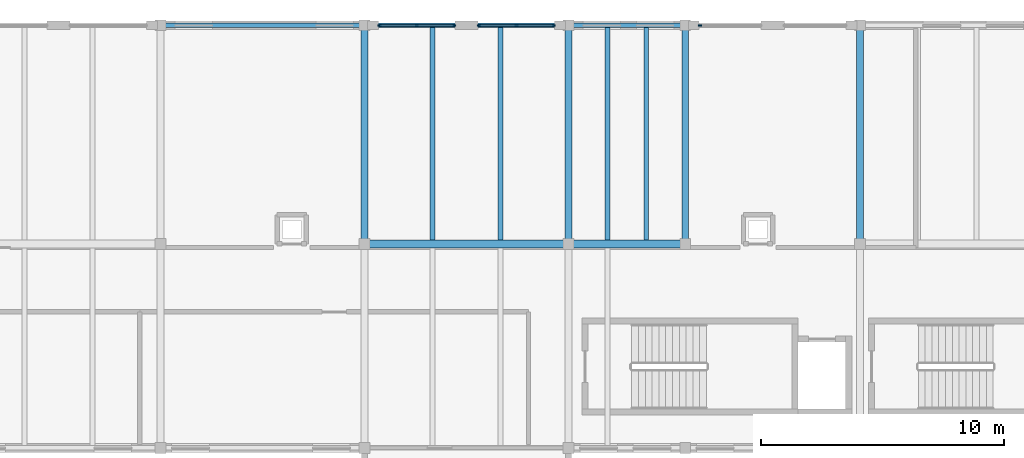
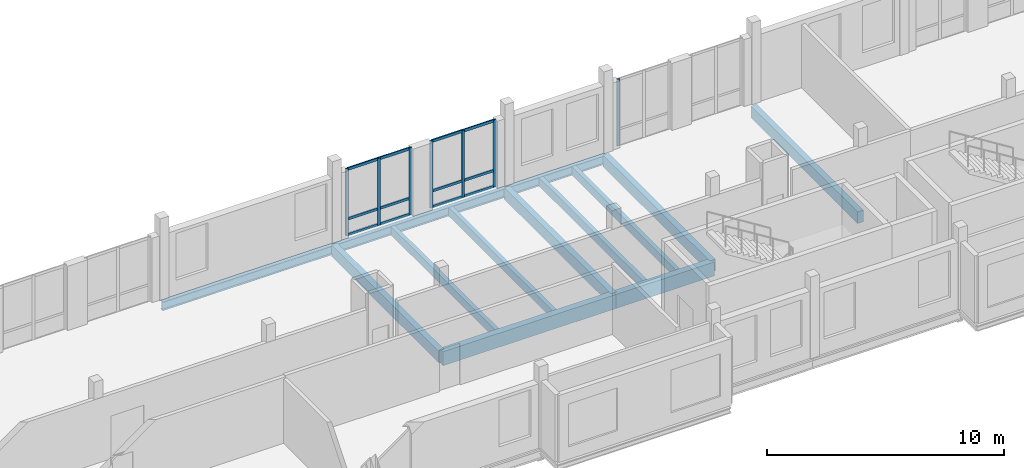
# One storey, part 24 of 81: 13 beams, 13 members, 3 elements without a shape of their own.
"""IFC4 building model written with IfcOpenShell, lengths in metres."""

from ifc_helpers import new_model, si_unit, direction, frame, origin, origin_2d, place, context, subcontext, project, spatial, rectangle, i_section, extrude, material, material_profile, profile_set, type_object, element, aggregate, save


model = new_model("IFC4")

# Units and contexts
model_context = context("Model", 3, precision=1e-05, world=origin(), true_north=direction((0.0, 1.0)))
body_context = subcontext(model_context, "Body", "Model", "MODEL_VIEW")
ifc_project = project(units=[si_unit("LENGTHUNIT", "METRE"), si_unit("AREAUNIT", "SQUARE_METRE"), si_unit("VOLUMEUNIT", "CUBIC_METRE"), si_unit("PLANEANGLEUNIT", "RADIAN"), si_unit("MASSUNIT", "GRAM", prefix="KILO")], contexts=[model_context])

# Site, building, storey
site_placement = place(None, origin())
site = spatial("IfcSite", under=ifc_project, at=site_placement, CompositionType="ELEMENT")
building_placement = place(site_placement, origin())
building = spatial("IfcBuilding", under=site, at=building_placement, Name="Kahlenmark Community Centre", CompositionType="ELEMENT")
storey_placement = place(building_placement, frame((0.0, 0.0, 9.60009765625)))
storey = spatial("IfcBuildingStorey", under=building, at=storey_placement, Name="L02", CompositionType="ELEMENT", Elevation=9.60009765625)

# Beams
ifc_material_1 = material(Name="Glulam GL32h", Category="wood")
ifc_material_profile_1 = material_profile(ifc_material_1, rectangle(XDim=0.280029296875, YDim=0.60009765625, at=origin_2d()), Name="GL32h 280x600")
ifc_profile_set_1 = profile_set([ifc_material_profile_1], Name="Glulam GL32h")
beam_type_1 = type_object("IfcBeamType", Name="BT-BEAM-GL32h280x600", PredefinedType="BEAM", material=ifc_profile_set_1)
for number, where, z_axis, x_axis, name in (
    (1, (37.60009765625, 106.0, -0.52001953125), (0.0, 1.0, 0.0), (-1.0, 0.0, 0.0), "L02 beam BG-GL32h280x600"),
    (2, (46.0, 106.0, -0.52001953125), (0.0, 1.0, 0.0), (-1.0, 0.0, 0.0), "L02 beam BG-GL32h280x600"),
    (3, (50.800048828125, 106.0, -0.52001953125), (0.0, 1.0, 0.0), (-1.0, 0.0, 0.0), "L02 beam BG-GL32h280x600"),
    (4, (58.0, 106.0, -0.52001953125), (0.0, 1.0, 0.0), (-1.0, 0.0, 0.0), "L02 beam BG-GL32h280x600"),
):
    element("IfcBeam", number, at=place(storey_placement, frame(where, z_axis=z_axis, x_axis=x_axis)), inside=storey, type_object=beam_type_1, Name=name, PredefinedType="BEAM", context=body_context, shape_type="SweptSolid", body=[
        extrude(rectangle(XDim=0.280029296875, YDim=0.60009765625, at=origin_2d()), origin(), (0.0, 0.0, 1.0), 9.0),
    ])
ifc_material_profile_2 = material_profile(ifc_material_1, rectangle(XDim=0.320068359375, YDim=0.719970703125, at=origin_2d()), Name="GL32h 320x720")
ifc_profile_set_2 = profile_set([ifc_material_profile_2], Name="Glulam GL32h")
beam_type_2 = type_object("IfcBeamType", Name="BT-BEAM-GL32h320x720", PredefinedType="BEAM", material=ifc_profile_set_2)
beam_1_placement = place(storey_placement, frame((37.60009765625, 106.0, -0.580078125), z_axis=(1.0, 0.0, 0.0), x_axis=(0.0, 1.0, 0.0)))
element("IfcBeam", 5, at=beam_1_placement, inside=storey, type_object=beam_type_2, Name="L02 beam BG-GL32h320x720", PredefinedType="BEAM", context=body_context, shape_type="SweptSolid", body=[
    extrude(rectangle(XDim=0.320068359375, YDim=0.719970703125, at=origin_2d()), origin(), (0.0, 0.0, 1.0), 8.39990234375),
])
beam_2_placement = place(storey_placement, frame((46.0, 106.0, -0.580078125), z_axis=(1.0, 0.0, 0.0), x_axis=(0.0, 1.0, 0.0)))
element("IfcBeam", 6, at=beam_2_placement, inside=storey, type_object=beam_type_2, Name="L02 beam BG-GL32h320x720", PredefinedType="BEAM", context=body_context, shape_type="SweptSolid", body=[
    extrude(rectangle(XDim=0.320068359375, YDim=0.719970703125, at=origin_2d()), origin(), (0.0, 0.0, 1.0), 4.800048828125),
])
ifc_material_2 = material(Name="Glulam GL28h", Category="wood")
ifc_material_profile_3 = material_profile(ifc_material_2, rectangle(XDim=0.199951171875, YDim=0.43994140625, at=origin_2d()), Name="GL28h 200x440")
ifc_profile_set_3 = profile_set([ifc_material_profile_3], Name="Glulam GL28h")
beam_type_3 = type_object("IfcBeamType", Name="BT-JOIST-GL28h200x440", PredefinedType="JOIST", material=ifc_profile_set_3)
for number, where, z_axis, x_axis, name in (
    (7, (40.39990234375, 106.157958984375, -0.440185546875), (0.0, 1.0, 0.0), (-1.0, 0.0, 0.0), "L02 joist BJ-GL28h200x440"),
    (8, (43.199951171875, 106.157958984375, -0.440185546875), (0.0, 1.0, 0.0), (-1.0, 0.0, 0.0), "L02 joist BJ-GL28h200x440"),
    (9, (47.60009765625, 106.157958984375, -0.440185546875), (0.0, 1.0, 0.0), (-1.0, 0.0, 0.0), "L02 joist BJ-GL28h200x440"),
    (10, (49.199951171875, 106.157958984375, -0.440185546875), (0.0, 1.0, 0.0), (-1.0, 0.0, 0.0), "L02 joist BJ-GL28h200x440"),
):
    element("IfcBeam", number, at=place(storey_placement, frame(where, z_axis=z_axis, x_axis=x_axis)), inside=storey, type_object=beam_type_3, Name=name, PredefinedType="JOIST", context=body_context, shape_type="SweptSolid", body=[
        extrude(rectangle(XDim=0.199951171875, YDim=0.43994140625, at=origin_2d()), origin(), (0.0, 0.0, 1.0), 8.7490234375),
    ])
ifc_material_3 = material(Name="Steel S355", Category="steel")
ifc_material_profile_4 = material_profile(ifc_material_3, i_section(OverallWidth=0.18994140625, OverallDepth=0.449951171875, WebThickness=0.009521484375, FlangeThickness=0.0146484375, at=origin_2d()), Name="IPE 450")
ifc_profile_set_4 = profile_set([ifc_material_profile_4], Name="Steel S355")
beam_type_4 = type_object("IfcBeamType", Name="BT-SPANDREL-IPE450", PredefinedType="SPANDREL", material=ifc_profile_set_4)
beam_3_placement = place(storey_placement, frame((29.199951171875, 115.0, -0.445068359375), z_axis=(1.0, 0.0, 0.0), x_axis=(0.0, 1.0, 0.0)))
element("IfcBeam", 11, at=beam_3_placement, inside=storey, type_object=beam_type_4, Name="L02 spandrel SP-IPE450", PredefinedType="SPANDREL", context=body_context, shape_type="SweptSolid", body=[
    extrude(i_section(OverallWidth=0.18994140625, OverallDepth=0.449951171875, WebThickness=0.009521484375, FlangeThickness=0.0146484375, at=origin_2d()), origin(), (0.0, 0.0, 1.0), 8.400146484375),
])
beam_4_placement = place(storey_placement, frame((37.60009765625, 115.0, -0.445068359375), z_axis=(1.0, 0.0, 0.0), x_axis=(0.0, 1.0, 0.0)))
element("IfcBeam", 12, at=beam_4_placement, inside=storey, type_object=beam_type_4, Name="L02 spandrel SP-IPE450", PredefinedType="SPANDREL", context=body_context, shape_type="SweptSolid", body=[
    extrude(i_section(OverallWidth=0.18994140625, OverallDepth=0.449951171875, WebThickness=0.009521484375, FlangeThickness=0.0146484375, at=origin_2d()), origin(), (0.0, 0.0, 1.0), 8.39990234375),
])
beam_5_placement = place(storey_placement, frame((46.0, 115.0, -0.445068359375), z_axis=(1.0, 0.0, 0.0), x_axis=(0.0, 1.0, 0.0)))
element("IfcBeam", 13, at=beam_5_placement, inside=storey, type_object=beam_type_4, Name="L02 spandrel SP-IPE450", PredefinedType="SPANDREL", context=body_context, shape_type="SweptSolid", body=[
    extrude(i_section(OverallWidth=0.18994140625, OverallDepth=0.449951171875, WebThickness=0.009521484375, FlangeThickness=0.0146484375, at=origin_2d()), origin(), (0.0, 0.0, 1.0), 4.800048828125),
])

# Curtain wall, members
ifc_material_4 = material(Name="Anodised aluminium unitised curtain wall", Category="aluminium")
curtain_wall_type_1 = type_object("IfcCurtainWallType", Name="CWT-UNIT-314X345", PredefinedType="USERDEFINED", material=ifc_material_4)
curtain_wall_1_placement = place(storey_placement, origin())
curtain_wall_1 = element("IfcCurtainWall", 14, at=curtain_wall_1_placement, inside=storey, type_object=curtain_wall_type_1, Name="Unitised curtain wall CW-091", ObjectType="UNITISED CURTAIN WALL", PredefinedType="USERDEFINED")
ifc_material_5 = material(Name="Anodised aluminium 6063-T6", Category="aluminium")
ifc_material_profile_5 = material_profile(ifc_material_5, rectangle(XDim=0.06005859375, YDim=0.139892578125, at=origin_2d()), Name="ALU MULLION 60x140")
ifc_profile_set_5 = profile_set([ifc_material_profile_5], Name="Anodised aluminium 6063-T6")
member_type_1 = type_object("IfcMemberType", Name="MT-MUL-140", PredefinedType="MULLION", material=ifc_profile_set_5)
member_1_placement = place(storey_placement, frame((45.389892578125, 115.0, 0.0), z_axis=(0.0, 0.0, 1.0), x_axis=(0.0, -1.0, 0.0)))
member_1 = element("IfcMember", 15, at=member_1_placement, type_object=member_type_1, Name="CW-091 mullion 1", PredefinedType="MULLION", context=body_context, shape_type="SweptSolid", body=[
    extrude(rectangle(XDim=0.06005859375, YDim=0.139892578125, at=origin_2d()), origin(), (0.0, 0.0, 1.0), 3.449951171875),
])
member_2_placement = place(storey_placement, frame((43.85009765625, 115.0, 0.0), z_axis=(0.0, 0.0, 1.0), x_axis=(0.0, -1.0, 0.0)))
member_2 = element("IfcMember", 16, at=member_2_placement, type_object=member_type_1, Name="CW-091 mullion 2", PredefinedType="MULLION", context=body_context, shape_type="SweptSolid", body=[
    extrude(rectangle(XDim=0.06005859375, YDim=0.139892578125, at=origin_2d()), origin(), (0.0, 0.0, 1.0), 3.449951171875),
])
member_3_placement = place(storey_placement, frame((42.31005859375, 115.0, 0.0), z_axis=(0.0, 0.0, 1.0), x_axis=(0.0, -1.0, 0.0)))
member_3 = element("IfcMember", 17, at=member_3_placement, type_object=member_type_1, Name="CW-091 mullion 3", PredefinedType="MULLION", context=body_context, shape_type="SweptSolid", body=[
    extrude(rectangle(XDim=0.06005859375, YDim=0.139892578125, at=origin_2d()), origin(), (0.0, 0.0, 1.0), 3.449951171875),
])

curtain_wall_2_placement = place(storey_placement, origin())
curtain_wall_2 = element("IfcCurtainWall", 18, at=curtain_wall_2_placement, inside=storey, type_object=curtain_wall_type_1, Name="Unitised curtain wall CW-092", ObjectType="UNITISED CURTAIN WALL", PredefinedType="USERDEFINED")
member_4_placement = place(storey_placement, frame((41.2900390625, 115.0, 0.0), z_axis=(0.0, 0.0, 1.0), x_axis=(0.0, -1.0, 0.0)))
member_4 = element("IfcMember", 19, at=member_4_placement, type_object=member_type_1, Name="CW-092 mullion 1", PredefinedType="MULLION", context=body_context, shape_type="SweptSolid", body=[
    extrude(rectangle(XDim=0.06005859375, YDim=0.139892578125, at=origin_2d()), origin(), (0.0, 0.0, 1.0), 3.449951171875),
])
member_5_placement = place(storey_placement, frame((39.75, 115.0, 0.0), z_axis=(0.0, 0.0, 1.0), x_axis=(0.0, -1.0, 0.0)))
member_5 = element("IfcMember", 20, at=member_5_placement, type_object=member_type_1, Name="CW-092 mullion 2", PredefinedType="MULLION", context=body_context, shape_type="SweptSolid", body=[
    extrude(rectangle(XDim=0.06005859375, YDim=0.139892578125, at=origin_2d()), origin(), (0.0, 0.0, 1.0), 3.449951171875),
])
member_6_placement = place(storey_placement, frame((38.2099609375, 115.0, 0.0), z_axis=(0.0, 0.0, 1.0), x_axis=(0.0, -1.0, 0.0)))
member_6 = element("IfcMember", 21, at=member_6_placement, type_object=member_type_1, Name="CW-092 mullion 3", PredefinedType="MULLION", context=body_context, shape_type="SweptSolid", body=[
    extrude(rectangle(XDim=0.06005859375, YDim=0.139892578125, at=origin_2d()), origin(), (0.0, 0.0, 1.0), 3.449951171875),
])

# Curtain wall, member
curtain_wall_type_2 = type_object("IfcCurtainWallType", Name="CWT-UNIT-254X345", PredefinedType="USERDEFINED", material=ifc_material_4)
curtain_wall_3_placement = place(storey_placement, origin())
curtain_wall_3 = element("IfcCurtainWall", 22, at=curtain_wall_3_placement, inside=storey, type_object=curtain_wall_type_2, Name="Unitised curtain wall CW-094", ObjectType="UNITISED CURTAIN WALL", PredefinedType="USERDEFINED")
member_7_placement = place(storey_placement, frame((51.409912109375, 115.0, 0.0), z_axis=(0.0, 0.0, 1.0), x_axis=(0.0, -1.0, 0.0)))
member_7 = element("IfcMember", 23, at=member_7_placement, type_object=member_type_1, Name="CW-094 mullion 3", PredefinedType="MULLION", context=body_context, shape_type="SweptSolid", body=[
    extrude(rectangle(XDim=0.06005859375, YDim=0.139892578125, at=origin_2d()), origin(), (0.0, 0.0, 1.0), 3.449951171875),
])
aggregate(curtain_wall_3, [member_7])

# Member
ifc_material_profile_6 = material_profile(ifc_material_5, rectangle(XDim=0.06005859375, YDim=0.139892578125, at=origin_2d()), Name="ALU TRANSOM 60x140")
ifc_profile_set_6 = profile_set([ifc_material_profile_6], Name="Anodised aluminium 6063-T6")
member_type_2 = type_object("IfcMemberType", Name="MT-TRN-140", PredefinedType="USERDEFINED", material=ifc_profile_set_6)
member_8_placement = place(storey_placement, frame((45.389892578125, 115.0, 0.039794921875), z_axis=(-1.0, 0.0, 0.0), x_axis=(0.0, -1.0, 0.0)))
member_8 = element("IfcMember", 24, at=member_8_placement, type_object=member_type_2, Name="CW-091 transom 1", ObjectType="TRANSOM", PredefinedType="USERDEFINED", context=body_context, shape_type="SweptSolid", body=[
    extrude(rectangle(XDim=0.06005859375, YDim=0.139892578125, at=origin_2d()), origin(), (0.0, 0.0, 1.0), 3.079833984375),
])

member_9_placement = place(storey_placement, frame((45.389892578125, 115.0, 0.849853515625), z_axis=(-1.0, 0.0, 0.0), x_axis=(0.0, -1.0, 0.0)))
member_9 = element("IfcMember", 25, at=member_9_placement, type_object=member_type_2, Name="CW-091 transom 2", ObjectType="TRANSOM", PredefinedType="USERDEFINED", context=body_context, shape_type="SweptSolid", body=[
    extrude(rectangle(XDim=0.06005859375, YDim=0.139892578125, at=origin_2d()), origin(), (0.0, 0.0, 1.0), 3.079833984375),
])

member_10_placement = place(storey_placement, frame((45.389892578125, 115.0, 3.409912109375), z_axis=(-1.0, 0.0, 0.0), x_axis=(0.0, -1.0, 0.0)))
member_10 = element("IfcMember", 26, at=member_10_placement, type_object=member_type_2, Name="CW-091 transom 3", ObjectType="TRANSOM", PredefinedType="USERDEFINED", context=body_context, shape_type="SweptSolid", body=[
    extrude(rectangle(XDim=0.06005859375, YDim=0.139892578125, at=origin_2d()), origin(), (0.0, 0.0, 1.0), 3.079833984375),
])

aggregate(curtain_wall_1, [member_1, member_2, member_3, member_8, member_9, member_10])

member_11_placement = place(storey_placement, frame((41.2900390625, 115.0, 0.039794921875), z_axis=(-1.0, 0.0, 0.0), x_axis=(0.0, -1.0, 0.0)))
member_11 = element("IfcMember", 27, at=member_11_placement, type_object=member_type_2, Name="CW-092 transom 1", ObjectType="TRANSOM", PredefinedType="USERDEFINED", context=body_context, shape_type="SweptSolid", body=[
    extrude(rectangle(XDim=0.06005859375, YDim=0.139892578125, at=origin_2d()), origin(), (0.0, 0.0, 1.0), 3.080078125),
])

member_12_placement = place(storey_placement, frame((41.2900390625, 115.0, 0.849853515625), z_axis=(-1.0, 0.0, 0.0), x_axis=(0.0, -1.0, 0.0)))
member_12 = element("IfcMember", 28, at=member_12_placement, type_object=member_type_2, Name="CW-092 transom 2", ObjectType="TRANSOM", PredefinedType="USERDEFINED", context=body_context, shape_type="SweptSolid", body=[
    extrude(rectangle(XDim=0.06005859375, YDim=0.139892578125, at=origin_2d()), origin(), (0.0, 0.0, 1.0), 3.080078125),
])

member_13_placement = place(storey_placement, frame((41.2900390625, 115.0, 3.409912109375), z_axis=(-1.0, 0.0, 0.0), x_axis=(0.0, -1.0, 0.0)))
member_13 = element("IfcMember", 29, at=member_13_placement, type_object=member_type_2, Name="CW-092 transom 3", ObjectType="TRANSOM", PredefinedType="USERDEFINED", context=body_context, shape_type="SweptSolid", body=[
    extrude(rectangle(XDim=0.06005859375, YDim=0.139892578125, at=origin_2d()), origin(), (0.0, 0.0, 1.0), 3.080078125),
])

aggregate(curtain_wall_2, [member_4, member_5, member_6, member_11, member_12, member_13])

save(model, "model.ifc")
